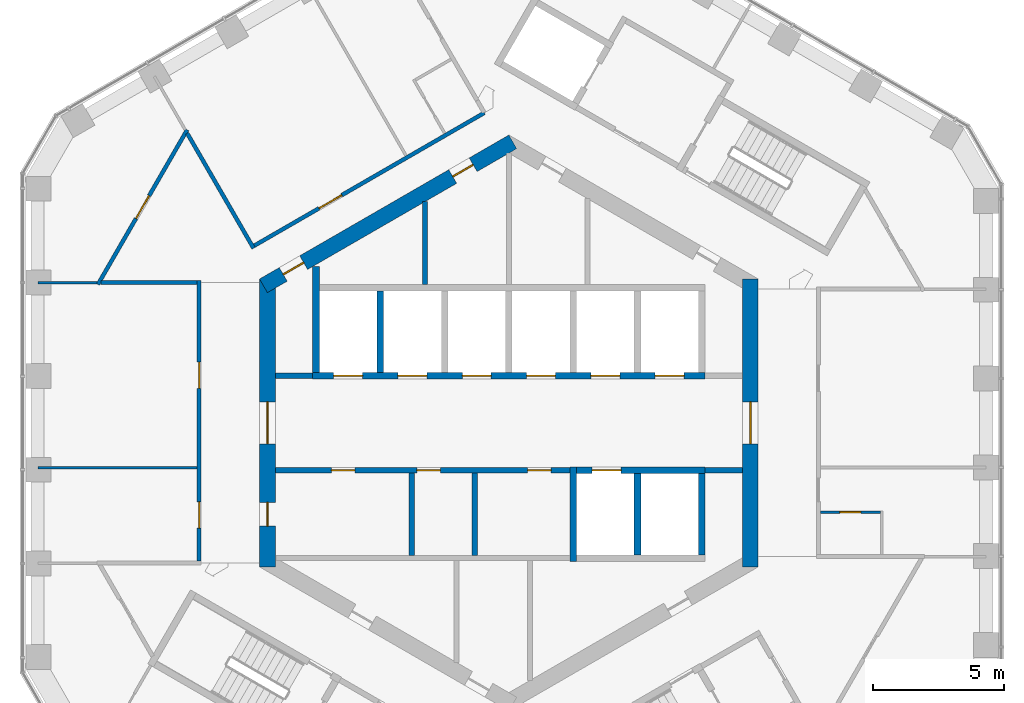
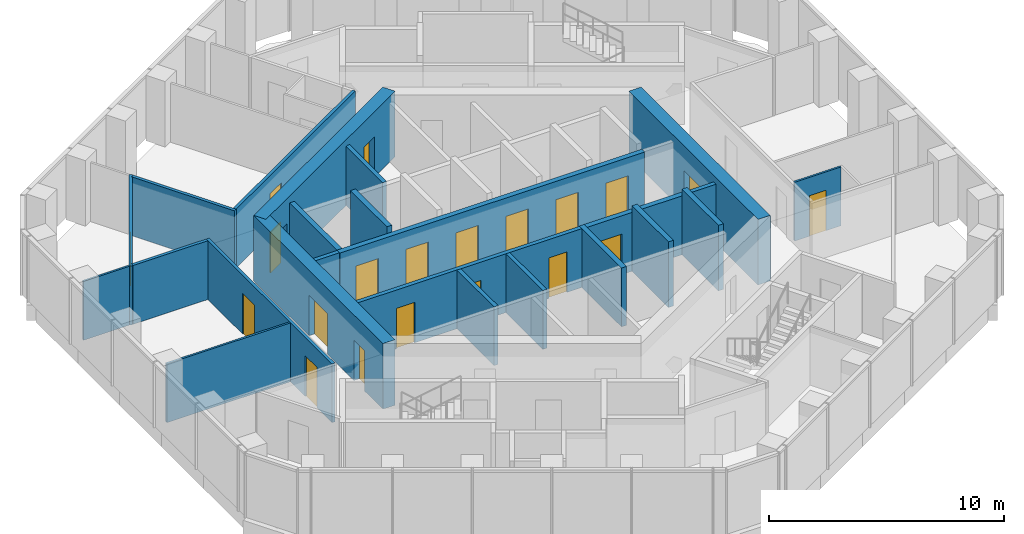
# One storey, part 15 of 18: 24 walls, 20 doors, 20 openings.
"""IFC4 building model written with IfcOpenShell, lengths in metres."""

from ifc_helpers import new_model, si_unit, direction, frame, frame_2d, origin, place, context, subcontext, project, spatial, rectangle, extrude, material, layer, layer_set, type_object, element, fill, save


model = new_model("IFC4")

# Units and contexts
model_context = context("Model", 3, precision=1e-05, world=origin(), true_north=direction((0.0, 1.0)))
body_context = subcontext(model_context, "Body", "Model", "MODEL_VIEW")
ifc_project = project(units=[si_unit("LENGTHUNIT", "METRE"), si_unit("AREAUNIT", "SQUARE_METRE"), si_unit("VOLUMEUNIT", "CUBIC_METRE"), si_unit("PLANEANGLEUNIT", "RADIAN"), si_unit("MASSUNIT", "GRAM", prefix="KILO")], contexts=[model_context])

# Site, building, storey
site_placement = place(None, origin())
site = spatial("IfcSite", under=ifc_project, at=site_placement, CompositionType="ELEMENT")
building_placement = place(site_placement, origin())
building = spatial("IfcBuilding", under=site, at=building_placement, Name="Ayvan Gate Tower", CompositionType="ELEMENT")
storey_placement = place(building_placement, frame((0.0, 0.0, 166.300048828125)))
storey = spatial("IfcBuildingStorey", under=building, at=storey_placement, Name="L44", CompositionType="ELEMENT", Elevation=166.300048828125)

# Wall, opening, door
ifc_material_1 = material(Name="Concrete C60/75", Category="concrete")
ifc_layer_1 = layer(ifc_material_1, 0.60009765625)
ifc_layer_set_1 = layer_set([ifc_layer_1], Name="Concrete C60/75")
wall_type_1 = type_object("IfcWallType", Name="Core wall 600 C60/75", PredefinedType="SHEAR", material=ifc_layer_set_1)
wall_1_placement = place(storey_placement, frame((9.199951171875, -5.48486328125, 0.0), z_axis=(0.0, 0.0, 1.0), x_axis=(0.0, 1.0, 0.0)))
wall_1 = element("IfcWall", 1, at=wall_1_placement, inside=storey, type_object=wall_type_1, Name="CORE-L44-0", PredefinedType="SHEAR", context=body_context, shape_type="SweptSolid", body=[
    extrude(rectangle(XDim=10.9697265625, YDim=0.60009765625, at=frame_2d((5.48486328125, 0.0))), origin(), (0.0, 0.0, 1.0), 3.39990234375),
])
opening_1_placement = place(wall_1_placement, frame((4.684814453125, 0.0, 0.0)))
opening_1 = element("IfcOpeningElement", 2, at=opening_1_placement, cuts=wall_1, Name="Opening L44-D45", PredefinedType="OPENING", context=body_context, shape_type="SweptSolid", body=[
    extrude(rectangle(XDim=1.60009765625, YDim=2.10009765625, at=frame_2d((0.800048828125, 1.050048828125))), frame((0.0, 0.31005859375, 0.0), z_axis=(0.0, -1.0, 0.0), x_axis=(1.0, 0.0, 0.0)), (0.0, 0.0, 1.0), 0.6201171875),
])
ifc_material_2 = material(Name="Timber door leaf", Category="wood")
door_type_1 = type_object("IfcDoorType", Name="DT-1600", OperationType="NOTDEFINED", PredefinedType="DOOR", material=ifc_material_2)
door_1_placement = place(opening_1_placement, origin())
door_1 = element("IfcDoor", 3, at=door_1_placement, inside=storey, type_object=door_type_1, Name="CD-L44-45", OperationType="SINGLE_SWING_LEFT", OverallHeight=2.10009765625, OverallWidth=1.60009765625, PredefinedType="DOOR", context=body_context, shape_type="SweptSolid", body=[
    extrude(rectangle(XDim=1.60009765625, YDim=2.10009765625, at=frame_2d((0.800048828125, 1.050048828125))), frame((0.0, 0.02490234375, 0.0), z_axis=(0.0, -1.0, 0.0), x_axis=(1.0, 0.0, 0.0)), (0.0, 0.0, 1.0), 0.050048828125),
])
fill(opening_1, door_1)

# Wall, openings, doors
wall_2_placement = place(storey_placement, frame((0.14990234375, 10.7099609375, 0.0), z_axis=(0.0, 0.0, 1.0), x_axis=(-0.866023993627, -0.500002442456, 0.0)))
wall_2 = element("IfcWall", 4, at=wall_2_placement, inside=storey, type_object=wall_type_1, Name="CORE-L44-2", PredefinedType="SHEAR", context=body_context, shape_type="SweptSolid", body=[
    extrude(rectangle(XDim=10.9697265625, YDim=0.60009765625, at=frame_2d((5.48486328125, 0.0))), origin(), (0.0, 0.0, 1.0), 3.39990234375),
])
opening_2_placement = place(wall_2_placement, frame((9.201416015625, 0.0, 0.0)))
opening_2 = element("IfcOpeningElement", 5, at=opening_2_placement, cuts=wall_2, Name="Opening L44-D37", PredefinedType="OPENING", context=body_context, shape_type="SweptSolid", body=[
    extrude(rectangle(XDim=0.89990234375, YDim=2.10009765625, at=frame_2d((0.449951171875, 1.050048828125))), frame((0.0, 0.31005859375, 0.0), z_axis=(0.0, -1.0, 0.0), x_axis=(1.0, 0.0, 0.0)), (0.0, 0.0, 1.0), 0.6201171875),
])
opening_3_placement = place(wall_2_placement, frame((1.744384765625, 0.0, 0.0)))
opening_3 = element("IfcOpeningElement", 6, at=opening_3_placement, cuts=wall_2, Name="Opening L44-D38", PredefinedType="OPENING", context=body_context, shape_type="SweptSolid", body=[
    extrude(rectangle(XDim=0.89990234375, YDim=2.10009765625, at=frame_2d((0.449951171875, 1.050048828125))), frame((0.0, 0.31005859375, 0.0), z_axis=(0.0, -1.0, 0.0), x_axis=(1.0, 0.0, 0.0)), (0.0, 0.0, 1.0), 0.6201171875),
])
door_type_2 = type_object("IfcDoorType", Name="DT-900", OperationType="NOTDEFINED", PredefinedType="DOOR", material=ifc_material_2)
door_2_placement = place(opening_2_placement, origin())
door_2 = element("IfcDoor", 7, at=door_2_placement, inside=storey, type_object=door_type_2, Name="CD-L44-37", OperationType="SINGLE_SWING_LEFT", OverallHeight=2.10009765625, OverallWidth=0.89990234375, PredefinedType="DOOR", context=body_context, shape_type="SweptSolid", body=[
    extrude(rectangle(XDim=0.89990234375, YDim=2.10009765625, at=frame_2d((0.449951171875, 1.050048828125))), frame((0.0, 0.02490234375, 0.0), z_axis=(0.0, -1.0, 0.0), x_axis=(1.0, 0.0, 0.0)), (0.0, 0.0, 1.0), 0.050048828125),
])
fill(opening_2, door_2)
door_3_placement = place(opening_3_placement, origin())
door_3 = element("IfcDoor", 8, at=door_3_placement, inside=storey, type_object=door_type_2, Name="CD-L44-38", OperationType="SINGLE_SWING_RIGHT", OverallHeight=2.10009765625, OverallWidth=0.89990234375, PredefinedType="DOOR", context=body_context, shape_type="SweptSolid", body=[
    extrude(rectangle(XDim=0.89990234375, YDim=2.10009765625, at=frame_2d((0.449951171875, 1.050048828125))), frame((0.0, 0.02490234375, 0.0), z_axis=(0.0, -1.0, 0.0), x_axis=(1.0, 0.0, 0.0)), (0.0, 0.0, 1.0), 0.050048828125),
])
fill(opening_3, door_3)

wall_3_placement = place(storey_placement, frame((-9.199951171875, 5.48486328125, 0.0), z_axis=(0.0, 0.0, 1.0), x_axis=(0.0, -1.0, 0.0)))
wall_3 = element("IfcWall", 9, at=wall_3_placement, inside=storey, type_object=wall_type_1, Name="CORE-L44-3", PredefinedType="SHEAR", context=body_context, shape_type="SweptSolid", body=[
    extrude(rectangle(XDim=10.9697265625, YDim=0.60009765625, at=frame_2d((5.48486328125, 0.0))), origin(), (0.0, 0.0, 1.0), 3.39990234375),
])
opening_4_placement = place(wall_3_placement, frame((8.51611328125, 0.0, 0.0)))
opening_4 = element("IfcOpeningElement", 10, at=opening_4_placement, cuts=wall_3, Name="Opening L44-D44", PredefinedType="OPENING", context=body_context, shape_type="SweptSolid", body=[
    extrude(rectangle(XDim=0.89990234375, YDim=2.10009765625, at=frame_2d((0.449951171875, 1.050048828125))), frame((0.0, 0.31005859375, 0.0), z_axis=(0.0, -1.0, 0.0), x_axis=(1.0, 0.0, 0.0)), (0.0, 0.0, 1.0), 0.6201171875),
])
opening_5_placement = place(wall_3_placement, frame((4.684814453125, 0.0, 0.0)))
opening_5 = element("IfcOpeningElement", 11, at=opening_5_placement, cuts=wall_3, Name="Opening L44-D46", PredefinedType="OPENING", context=body_context, shape_type="SweptSolid", body=[
    extrude(rectangle(XDim=1.60009765625, YDim=2.10009765625, at=frame_2d((0.800048828125, 1.050048828125))), frame((0.0, 0.31005859375, 0.0), z_axis=(0.0, -1.0, 0.0), x_axis=(1.0, 0.0, 0.0)), (0.0, 0.0, 1.0), 0.6201171875),
])
door_4_placement = place(opening_5_placement, origin())
door_4 = element("IfcDoor", 12, at=door_4_placement, inside=storey, type_object=door_type_1, Name="CD-L44-46", OperationType="SINGLE_SWING_RIGHT", OverallHeight=2.10009765625, OverallWidth=1.60009765625, PredefinedType="DOOR", context=body_context, shape_type="SweptSolid", body=[
    extrude(rectangle(XDim=1.60009765625, YDim=2.10009765625, at=frame_2d((0.800048828125, 1.050048828125))), frame((0.0, 0.02490234375, 0.0), z_axis=(0.0, -1.0, 0.0), x_axis=(1.0, 0.0, 0.0)), (0.0, 0.0, 1.0), 0.050048828125),
])
fill(opening_5, door_4)
door_5_placement = place(opening_4_placement, origin())
door_5 = element("IfcDoor", 13, at=door_5_placement, inside=storey, type_object=door_type_2, Name="CD-L44-44", OperationType="SINGLE_SWING_RIGHT", OverallHeight=2.10009765625, OverallWidth=0.89990234375, PredefinedType="DOOR", context=body_context, shape_type="SweptSolid", body=[
    extrude(rectangle(XDim=0.89990234375, YDim=2.10009765625, at=frame_2d((0.449951171875, 1.050048828125))), frame((0.0, 0.02490234375, 0.0), z_axis=(0.0, -1.0, 0.0), x_axis=(1.0, 0.0, 0.0)), (0.0, 0.0, 1.0), 0.050048828125),
])
fill(opening_4, door_5)

# Wall, opening, door
ifc_material_3 = material(Name="Plasterboard on steel stud", Category="steel")
ifc_layer_2 = layer(ifc_material_3, 0.14990234375)
ifc_layer_set_2 = layer_set([ifc_layer_2], Name="Plasterboard on steel stud")
wall_type_2 = type_object("IfcWallType", Name="WT-CORR-150", PredefinedType="PARTITIONING", material=ifc_layer_set_2)
wall_4_placement = place(storey_placement, frame((-15.657470703125, 5.278076171875, 0.0), z_axis=(0.0, 0.0, 1.0), x_axis=(0.499988676607, 0.86603194125, 0.0)))
wall_4 = element("IfcWall", 14, at=wall_4_placement, inside=storey, type_object=wall_type_2, Name="IW-L44-001", PredefinedType="PARTITIONING", context=body_context, shape_type="SweptSolid", body=[
    extrude(rectangle(XDim=6.800537109375, YDim=0.14990234375, at=frame_2d((3.400390625, 0.0))), origin(), (0.0, 0.0, 1.0), 3.050048828125),
])
opening_6_placement = place(wall_4_placement, frame((2.900390625, 0.0, 0.0)))
opening_6 = element("IfcOpeningElement", 15, at=opening_6_placement, cuts=wall_4, Name="Opening L44-D27", PredefinedType="OPENING", context=body_context, shape_type="SweptSolid", body=[
    extrude(rectangle(XDim=1.0, YDim=2.10009765625, at=frame_2d((0.5, 1.050048828125))), frame((0.0, 0.0849609375, 0.0), z_axis=(0.0, -1.0, 0.0), x_axis=(1.0, 0.0, 0.0)), (0.0, 0.0, 1.0), 0.169921875),
])
door_type_3 = type_object("IfcDoorType", Name="DT-1000", OperationType="NOTDEFINED", PredefinedType="DOOR", material=ifc_material_2)
door_6_placement = place(opening_6_placement, origin())
door_6 = element("IfcDoor", 16, at=door_6_placement, inside=storey, type_object=door_type_3, Name="ID-L44-027", OperationType="SINGLE_SWING_LEFT", OverallHeight=2.10009765625, OverallWidth=1.0, PredefinedType="DOOR", context=body_context, shape_type="SweptSolid", body=[
    extrude(rectangle(XDim=1.0, YDim=2.10009765625, at=frame_2d((0.5, 1.050048828125))), frame((0.0, 0.02490234375, 0.0), z_axis=(0.0, -1.0, 0.0), x_axis=(1.0, 0.0, 0.0)), (0.0, 0.0, 1.0), 0.050048828125),
])
fill(opening_6, door_6)

# Wall
wall_5_placement = place(storey_placement, frame((-12.25732421875, 11.03759765625, 0.0), z_axis=(0.0, 0.0, 1.0), x_axis=(0.499997969693, -0.866026575979, 0.0)))
element("IfcWall", 17, at=wall_5_placement, inside=storey, type_object=wall_type_2, Name="IW-L44-008", PredefinedType="PARTITIONING", context=body_context, shape_type="SweptSolid", body=[
    extrude(rectangle(XDim=5.0625, YDim=0.14990234375, at=frame_2d((2.53125, 0.0))), origin(), (0.0, 0.0, 1.0), 3.050048828125),
])

# Wall, openings, doors
wall_6_placement = place(storey_placement, frame((-11.800048828125, -5.26806640625, 0.0), z_axis=(0.0, 0.0, 1.0), x_axis=(0.0, 1.0, 0.0)))
wall_6 = element("IfcWall", 18, at=wall_6_placement, inside=storey, type_object=wall_type_2, Name="IW-L44-010", PredefinedType="PARTITIONING", context=body_context, shape_type="SweptSolid", body=[
    extrude(rectangle(XDim=10.68603515625, YDim=0.14990234375, at=frame_2d((5.343017578125, 0.0))), origin(), (0.0, 0.0, 1.0), 3.050048828125),
])
opening_7_placement = place(wall_6_placement, frame((6.584716796875, 0.0, 0.0)))
opening_7 = element("IfcOpeningElement", 19, at=opening_7_placement, cuts=wall_6, Name="Opening L44-D28", PredefinedType="OPENING", context=body_context, shape_type="SweptSolid", body=[
    extrude(rectangle(XDim=1.0, YDim=2.10009765625, at=frame_2d((0.5, 1.050048828125))), frame((0.0, 0.0849609375, 0.0), z_axis=(0.0, -1.0, 0.0), x_axis=(1.0, 0.0, 0.0)), (0.0, 0.0, 1.0), 0.169921875),
])
opening_8_placement = place(wall_6_placement, frame((1.26416015625, 0.0, 0.0)))
opening_8 = element("IfcOpeningElement", 20, at=opening_8_placement, cuts=wall_6, Name="Opening L44-D29", PredefinedType="OPENING", context=body_context, shape_type="SweptSolid", body=[
    extrude(rectangle(XDim=1.0, YDim=2.10009765625, at=frame_2d((0.5, 1.050048828125))), frame((0.0, 0.0849609375, 0.0), z_axis=(0.0, -1.0, 0.0), x_axis=(1.0, 0.0, 0.0)), (0.0, 0.0, 1.0), 0.169921875),
])
door_7_placement = place(opening_7_placement, origin())
door_7 = element("IfcDoor", 21, at=door_7_placement, inside=storey, type_object=door_type_3, Name="ID-L44-028", OperationType="SINGLE_SWING_RIGHT", OverallHeight=2.10009765625, OverallWidth=1.0, PredefinedType="DOOR", context=body_context, shape_type="SweptSolid", body=[
    extrude(rectangle(XDim=1.0, YDim=2.10009765625, at=frame_2d((0.5, 1.050048828125))), frame((0.0, 0.02490234375, 0.0), z_axis=(0.0, -1.0, 0.0), x_axis=(1.0, 0.0, 0.0)), (0.0, 0.0, 1.0), 0.050048828125),
])
fill(opening_7, door_7)
door_8_placement = place(opening_8_placement, origin())
door_8 = element("IfcDoor", 22, at=door_8_placement, inside=storey, type_object=door_type_3, Name="ID-L44-029", OperationType="SINGLE_SWING_LEFT", OverallHeight=2.10009765625, OverallWidth=1.0, PredefinedType="DOOR", context=body_context, shape_type="SweptSolid", body=[
    extrude(rectangle(XDim=1.0, YDim=2.10009765625, at=frame_2d((0.5, 1.050048828125))), frame((0.0, 0.02490234375, 0.0), z_axis=(0.0, -1.0, 0.0), x_axis=(1.0, 0.0, 0.0)), (0.0, 0.0, 1.0), 0.050048828125),
])
fill(opening_8, door_8)

# Wall
wall_7_placement = place(storey_placement, frame((-11.875, 5.343017578125, 0.0), z_axis=(0.0, 0.0, 1.0), x_axis=(-1.0, 0.0, 0.0)))
element("IfcWall", 23, at=wall_7_placement, inside=storey, type_object=wall_type_2, Name="IW-L44-012", PredefinedType="PARTITIONING", context=body_context, shape_type="SweptSolid", body=[
    extrude(rectangle(XDim=3.669921875, YDim=0.14990234375, at=frame_2d((1.8349609375, 0.0))), origin(), (0.0, 0.0, 1.0), 3.050048828125),
])

# Wall, opening, door
wall_8_placement = place(storey_placement, frame((-9.698486328125, 6.755859375, 0.0), z_axis=(0.0, 0.0, 1.0), x_axis=(0.866026460776, 0.499998169232, 0.0)))
wall_8 = element("IfcWall", 24, at=wall_8_placement, inside=storey, type_object=wall_type_2, Name="IW-L44-013", PredefinedType="PARTITIONING", context=body_context, shape_type="SweptSolid", body=[
    extrude(rectangle(XDim=10.11767578125, YDim=0.14990234375, at=frame_2d((5.058837890625, 0.0))), origin(), (0.0, 0.0, 1.0), 3.050048828125),
])
opening_9_placement = place(wall_8_placement, frame((2.844970703125, 0.0, 0.0)))
opening_9 = element("IfcOpeningElement", 25, at=opening_9_placement, cuts=wall_8, Name="Opening L44-D36", PredefinedType="OPENING", context=body_context, shape_type="SweptSolid", body=[
    extrude(rectangle(XDim=1.0, YDim=2.10009765625, at=frame_2d((0.5, 1.050048828125))), frame((0.0, 0.0849609375, 0.0), z_axis=(0.0, -1.0, 0.0), x_axis=(1.0, 0.0, 0.0)), (0.0, 0.0, 1.0), 0.169921875),
])
door_9_placement = place(opening_9_placement, origin())
door_9 = element("IfcDoor", 26, at=door_9_placement, inside=storey, type_object=door_type_3, Name="ID-L44-036", OperationType="SINGLE_SWING_RIGHT", OverallHeight=2.10009765625, OverallWidth=1.0, PredefinedType="DOOR", context=body_context, shape_type="SweptSolid", body=[
    extrude(rectangle(XDim=1.0, YDim=2.10009765625, at=frame_2d((0.5, 1.050048828125))), frame((0.0, 0.02490234375, 0.0), z_axis=(0.0, -1.0, 0.0), x_axis=(1.0, 0.0, 0.0)), (0.0, 0.0, 1.0), 0.050048828125),
])
fill(opening_9, door_9)

# Walls
ifc_layer_3 = layer(ifc_material_3, 0.10009765625)
ifc_layer_set_3 = layer_set([ifc_layer_3], Name="Plasterboard on steel stud")
wall_type_3 = type_object("IfcWallType", Name="WT-PART-100", PredefinedType="PARTITIONING", material=ifc_layer_set_3)
wall_9_placement = place(storey_placement, frame((-15.695068359375, 5.343017578125, 0.0), z_axis=(0.0, 0.0, 1.0), x_axis=(-1.0, 0.0, 0.0)))
element("IfcWall", 27, at=wall_9_placement, inside=storey, type_object=wall_type_3, Name="IW-L44-000", PredefinedType="PARTITIONING", context=body_context, shape_type="SweptSolid", body=[
    extrude(rectangle(XDim=2.254150390625, YDim=0.10009765625, at=frame_2d((1.126953125, 0.0))), origin(), (0.0, 0.0, 1.0), 3.050048828125),
])
wall_10_placement = place(storey_placement, frame((-11.875, -1.709716796875, 0.0), z_axis=(0.0, 0.0, 1.0), x_axis=(-1.0, 0.0, 0.0)))
element("IfcWall", 28, at=wall_10_placement, inside=storey, type_object=wall_type_3, Name="IW-L44-011", PredefinedType="PARTITIONING", context=body_context, shape_type="SweptSolid", body=[
    extrude(rectangle(XDim=6.07421875, YDim=0.10009765625, at=frame_2d((3.037109375, 0.0))), origin(), (0.0, 0.0, 1.0), 3.050048828125),
])

# Wall, opening, door
wall_11_placement = place(storey_placement, frame((14.14990234375, -3.398681640625, 0.0), z_axis=(0.0, 0.0, 1.0), x_axis=(-1.0, 0.0, 0.0)))
wall_11 = element("IfcWall", 29, at=wall_11_placement, inside=storey, type_object=wall_type_3, Name="IW-L44-093", PredefinedType="PARTITIONING", context=body_context, shape_type="SweptSolid", body=[
    extrude(rectangle(XDim=2.27490234375, YDim=0.10009765625, at=frame_2d((1.137451171875, 0.0))), origin(), (0.0, 0.0, 1.0), 3.050048828125),
])
opening_10_placement = place(wall_11_placement, frame((0.737548828125, 0.0, 0.0)))
opening_10 = element("IfcOpeningElement", 30, at=opening_10_placement, cuts=wall_11, Name="Opening L44-D23", PredefinedType="OPENING", context=body_context, shape_type="SweptSolid", body=[
    extrude(rectangle(XDim=0.800048828125, YDim=2.10009765625, at=frame_2d((0.39990234375, 1.050048828125))), frame((0.0, 0.06005859375, 0.0), z_axis=(0.0, -1.0, 0.0), x_axis=(1.0, 0.0, 0.0)), (0.0, 0.0, 1.0), 0.1201171875),
])
door_type_4 = type_object("IfcDoorType", Name="DT-800", OperationType="NOTDEFINED", PredefinedType="DOOR", material=ifc_material_2)
door_10_placement = place(opening_10_placement, origin())
door_10 = element("IfcDoor", 31, at=door_10_placement, inside=storey, type_object=door_type_4, Name="ID-L44-023", OperationType="SINGLE_SWING_LEFT", OverallHeight=2.10009765625, OverallWidth=0.800048828125, PredefinedType="DOOR", context=body_context, shape_type="SweptSolid", body=[
    extrude(rectangle(XDim=0.800048828125, YDim=2.10009765625, at=frame_2d((0.39990234375, 1.050048828125))), frame((0.0, 0.02490234375, 0.0), z_axis=(0.0, -1.0, 0.0), x_axis=(1.0, 0.0, 0.0)), (0.0, 0.0, 1.0), 0.050048828125),
])
fill(opening_10, door_10)

# Walls
ifc_layer_4 = layer(ifc_material_3, 0.199951171875)
ifc_layer_set_4 = layer_set([ifc_layer_4], Name="Plasterboard on steel stud")
wall_type_4 = type_object("IfcWallType", Name="WT-RATED-200", PredefinedType="PARTITIONING", material=ifc_layer_set_4)
wall_12_placement = place(storey_placement, frame((-8.89990234375, 1.800048828125, 0.0), z_axis=(0.0, 0.0, 1.0), x_axis=(1.0, 0.0, 0.0)))
element("IfcWall", 32, at=wall_12_placement, inside=storey, type_object=wall_type_4, Name="IW-L44-014", PredefinedType="PARTITIONING", context=body_context, shape_type="SweptSolid", body=[
    extrude(rectangle(XDim=1.425048828125, YDim=0.199951171875, at=frame_2d((0.71240234375, 0.0))), origin(), (0.0, 0.0, 1.0), 3.050048828125),
])
wall_13_placement = place(storey_placement, frame((-3.699951171875, -1.89990234375, 0.0), z_axis=(0.0, 0.0, 1.0), x_axis=(0.0, -1.0, 0.0)))
element("IfcWall", 33, at=wall_13_placement, inside=storey, type_object=wall_type_4, Name="IW-L44-033", PredefinedType="PARTITIONING", context=body_context, shape_type="SweptSolid", body=[
    extrude(rectangle(XDim=3.150146484375, YDim=0.199951171875, at=frame_2d((1.5751953125, 0.0))), origin(), (0.0, 0.0, 1.0), 3.050048828125),
])

# Wall, openings, doors
wall_14_placement = place(storey_placement, frame((-8.89990234375, -1.800048828125, 0.0), z_axis=(0.0, 0.0, 1.0), x_axis=(1.0, 0.0, 0.0)))
wall_14 = element("IfcWall", 34, at=wall_14_placement, inside=storey, type_object=wall_type_4, Name="IW-L44-034", PredefinedType="PARTITIONING", context=body_context, shape_type="SweptSolid", body=[
    extrude(rectangle(XDim=11.22509765625, YDim=0.199951171875, at=frame_2d((5.612548828125, 0.0))), origin(), (0.0, 0.0, 1.0), 3.050048828125),
])
opening_11_placement = place(wall_14_placement, frame((2.135009765625, 0.0, 0.0)))
opening_11 = element("IfcOpeningElement", 35, at=opening_11_placement, cuts=wall_14, Name="Opening L44-D08", PredefinedType="OPENING", context=body_context, shape_type="SweptSolid", body=[
    extrude(rectangle(XDim=0.89990234375, YDim=2.10009765625, at=frame_2d((0.449951171875, 1.050048828125))), frame((0.0, 0.10986328125, 0.0), z_axis=(0.0, -1.0, 0.0), x_axis=(1.0, 0.0, 0.0)), (0.0, 0.0, 1.0), 0.219970703125),
])
opening_12_placement = place(wall_14_placement, frame((5.389892578125, 0.0, 0.0)))
opening_12 = element("IfcOpeningElement", 36, at=opening_12_placement, cuts=wall_14, Name="Opening L44-D09", PredefinedType="OPENING", context=body_context, shape_type="SweptSolid", body=[
    extrude(rectangle(XDim=0.89990234375, YDim=2.10009765625, at=frame_2d((0.449951171875, 1.050048828125))), frame((0.0, 0.10986328125, 0.0), z_axis=(0.0, -1.0, 0.0), x_axis=(1.0, 0.0, 0.0)), (0.0, 0.0, 1.0), 0.219970703125),
])
opening_13_placement = place(wall_14_placement, frame((9.612548828125, 0.0, 0.0)))
opening_13 = element("IfcOpeningElement", 37, at=opening_13_placement, cuts=wall_14, Name="Opening L44-D10", PredefinedType="OPENING", context=body_context, shape_type="SweptSolid", body=[
    extrude(rectangle(XDim=0.89990234375, YDim=2.10009765625, at=frame_2d((0.449951171875, 1.050048828125))), frame((0.0, 0.10986328125, 0.0), z_axis=(0.0, -1.0, 0.0), x_axis=(1.0, 0.0, 0.0)), (0.0, 0.0, 1.0), 0.219970703125),
])
door_11_placement = place(opening_11_placement, origin())
door_11 = element("IfcDoor", 38, at=door_11_placement, inside=storey, type_object=door_type_2, Name="ID-L44-008", OperationType="SINGLE_SWING_RIGHT", OverallHeight=2.10009765625, OverallWidth=0.89990234375, PredefinedType="DOOR", context=body_context, shape_type="SweptSolid", body=[
    extrude(rectangle(XDim=0.89990234375, YDim=2.10009765625, at=frame_2d((0.449951171875, 1.050048828125))), frame((0.0, 0.02490234375, 0.0), z_axis=(0.0, -1.0, 0.0), x_axis=(1.0, 0.0, 0.0)), (0.0, 0.0, 1.0), 0.050048828125),
])
fill(opening_11, door_11)
door_12_placement = place(opening_12_placement, origin())
door_12 = element("IfcDoor", 39, at=door_12_placement, inside=storey, type_object=door_type_2, Name="ID-L44-009", OperationType="SINGLE_SWING_LEFT", OverallHeight=2.10009765625, OverallWidth=0.89990234375, PredefinedType="DOOR", context=body_context, shape_type="SweptSolid", body=[
    extrude(rectangle(XDim=0.89990234375, YDim=2.10009765625, at=frame_2d((0.449951171875, 1.050048828125))), frame((0.0, 0.02490234375, 0.0), z_axis=(0.0, -1.0, 0.0), x_axis=(1.0, 0.0, 0.0)), (0.0, 0.0, 1.0), 0.050048828125),
])
fill(opening_12, door_12)
door_13_placement = place(opening_13_placement, origin())
door_13 = element("IfcDoor", 40, at=door_13_placement, inside=storey, type_object=door_type_2, Name="ID-L44-010", OperationType="SINGLE_SWING_RIGHT", OverallHeight=2.10009765625, OverallWidth=0.89990234375, PredefinedType="DOOR", context=body_context, shape_type="SweptSolid", body=[
    extrude(rectangle(XDim=0.89990234375, YDim=2.10009765625, at=frame_2d((0.449951171875, 1.050048828125))), frame((0.0, 0.02490234375, 0.0), z_axis=(0.0, -1.0, 0.0), x_axis=(1.0, 0.0, 0.0)), (0.0, 0.0, 1.0), 0.050048828125),
])
fill(opening_13, door_13)

# Walls
wall_15_placement = place(storey_placement, frame((-3.199951171875, 8.42919921875, 0.0), z_axis=(0.0, 0.0, 1.0), x_axis=(0.0, -1.0, 0.0)))
element("IfcWall", 41, at=wall_15_placement, inside=storey, type_object=wall_type_4, Name="IW-L44-038", PredefinedType="PARTITIONING", context=body_context, shape_type="SweptSolid", body=[
    extrude(rectangle(XDim=3.154296875, YDim=0.199951171875, at=frame_2d((1.5771484375, 0.0))), origin(), (0.0, 0.0, 1.0), 3.050048828125),
])
wall_16_placement = place(storey_placement, frame((-1.300048828125, -1.89990234375, 0.0), z_axis=(0.0, 0.0, 1.0), x_axis=(0.0, -1.0, 0.0)))
element("IfcWall", 42, at=wall_16_placement, inside=storey, type_object=wall_type_4, Name="IW-L44-045", PredefinedType="PARTITIONING", context=body_context, shape_type="SweptSolid", body=[
    extrude(rectangle(XDim=3.150146484375, YDim=0.199951171875, at=frame_2d((1.5751953125, 0.0))), origin(), (0.0, 0.0, 1.0), 3.050048828125),
])
wall_17_placement = place(storey_placement, frame((8.89990234375, -1.800048828125, 0.0), z_axis=(0.0, 0.0, 1.0), x_axis=(-1.0, 0.0, 0.0)))
element("IfcWall", 43, at=wall_17_placement, inside=storey, type_object=wall_type_4, Name="IW-L44-082", PredefinedType="PARTITIONING", context=body_context, shape_type="SweptSolid", body=[
    extrude(rectangle(XDim=1.425048828125, YDim=0.199951171875, at=frame_2d((0.71240234375, 0.0))), origin(), (0.0, 0.0, 1.0), 3.050048828125),
])

# Wall, openings, doors
ifc_material_4 = material(Name="Concrete C50/60", Category="concrete")
ifc_layer_5 = layer(ifc_material_4, 0.25)
ifc_layer_set_5 = layer_set([ifc_layer_5], Name="Concrete C50/60")
wall_type_5 = type_object("IfcWallType", Name="WT-RC-250", PredefinedType="SHEAR", material=ifc_layer_set_5)
wall_18_placement = place(storey_placement, frame((-7.47509765625, 1.800048828125, 0.0), z_axis=(0.0, 0.0, 1.0), x_axis=(1.0, 0.0, 0.0)))
wall_18 = element("IfcWall", 44, at=wall_18_placement, inside=storey, type_object=wall_type_5, Name="IW-L44-021", PredefinedType="SHEAR", context=body_context, shape_type="SweptSolid", body=[
    extrude(rectangle(XDim=14.9501953125, YDim=0.25, at=frame_2d((7.47509765625, 0.0))), origin(), (0.0, 0.0, 1.0), 3.050048828125),
])
opening_14_placement = place(wall_18_placement, frame((0.800048828125, 0.0, 0.0)))
opening_14 = element("IfcOpeningElement", 45, at=opening_14_placement, cuts=wall_18, Name="Opening L44-LD-HR1", PredefinedType="OPENING", context=body_context, shape_type="SweptSolid", body=[
    extrude(rectangle(XDim=1.10009765625, YDim=2.10009765625, at=frame_2d((0.550048828125, 1.050048828125))), frame((0.0, 0.135009765625, 0.0), z_axis=(0.0, -1.0, 0.0), x_axis=(1.0, 0.0, 0.0)), (0.0, 0.0, 1.0), 0.27001953125),
])
opening_15_placement = place(wall_18_placement, frame((3.25, 0.0, 0.0)))
opening_15 = element("IfcOpeningElement", 46, at=opening_15_placement, cuts=wall_18, Name="Opening L44-LD-HR2", PredefinedType="OPENING", context=body_context, shape_type="SweptSolid", body=[
    extrude(rectangle(XDim=1.10009765625, YDim=2.10009765625, at=frame_2d((0.550048828125, 1.050048828125))), frame((0.0, 0.135009765625, 0.0), z_axis=(0.0, -1.0, 0.0), x_axis=(1.0, 0.0, 0.0)), (0.0, 0.0, 1.0), 0.27001953125),
])
opening_16_placement = place(wall_18_placement, frame((5.7001953125, 0.0, 0.0)))
opening_16 = element("IfcOpeningElement", 47, at=opening_16_placement, cuts=wall_18, Name="Opening L44-LD-HR3", PredefinedType="OPENING", context=body_context, shape_type="SweptSolid", body=[
    extrude(rectangle(XDim=1.10009765625, YDim=2.10009765625, at=frame_2d((0.550048828125, 1.050048828125))), frame((0.0, 0.135009765625, 0.0), z_axis=(0.0, -1.0, 0.0), x_axis=(1.0, 0.0, 0.0)), (0.0, 0.0, 1.0), 0.27001953125),
])
opening_17_placement = place(wall_18_placement, frame((8.150146484375, 0.0, 0.0)))
opening_17 = element("IfcOpeningElement", 48, at=opening_17_placement, cuts=wall_18, Name="Opening L44-LD-HR4", PredefinedType="OPENING", context=body_context, shape_type="SweptSolid", body=[
    extrude(rectangle(XDim=1.10009765625, YDim=2.10009765625, at=frame_2d((0.550048828125, 1.050048828125))), frame((0.0, 0.135009765625, 0.0), z_axis=(0.0, -1.0, 0.0), x_axis=(1.0, 0.0, 0.0)), (0.0, 0.0, 1.0), 0.27001953125),
])
opening_18_placement = place(wall_18_placement, frame((10.60009765625, 0.0, 0.0)))
opening_18 = element("IfcOpeningElement", 49, at=opening_18_placement, cuts=wall_18, Name="Opening L44-LD-HR5", PredefinedType="OPENING", context=body_context, shape_type="SweptSolid", body=[
    extrude(rectangle(XDim=1.10009765625, YDim=2.10009765625, at=frame_2d((0.550048828125, 1.050048828125))), frame((0.0, 0.135009765625, 0.0), z_axis=(0.0, -1.0, 0.0), x_axis=(1.0, 0.0, 0.0)), (0.0, 0.0, 1.0), 0.27001953125),
])
opening_19_placement = place(wall_18_placement, frame((13.050048828125, 0.0, 0.0)))
opening_19 = element("IfcOpeningElement", 50, at=opening_19_placement, cuts=wall_18, Name="Opening L44-LD-HR6", PredefinedType="OPENING", context=body_context, shape_type="SweptSolid", body=[
    extrude(rectangle(XDim=1.10009765625, YDim=2.10009765625, at=frame_2d((0.550048828125, 1.050048828125))), frame((0.0, 0.135009765625, 0.0), z_axis=(0.0, -1.0, 0.0), x_axis=(1.0, 0.0, 0.0)), (0.0, 0.0, 1.0), 0.27001953125),
])
ifc_material_5 = material(Name="Stainless steel landing door", Category="steel")
door_type_5 = type_object("IfcDoorType", Name="DT-LANDING-1100", OperationType="SLIDING_TO_LEFT", PredefinedType="DOOR", material=ifc_material_5)
door_14_placement = place(opening_14_placement, origin())
door_14 = element("IfcDoor", 51, at=door_14_placement, inside=storey, type_object=door_type_5, Name="ID-L44-001", OperationType="SLIDING_TO_LEFT", OverallHeight=2.10009765625, OverallWidth=1.10009765625, PredefinedType="DOOR", context=body_context, shape_type="SweptSolid", body=[
    extrude(rectangle(XDim=1.10009765625, YDim=2.10009765625, at=frame_2d((0.550048828125, 1.050048828125))), frame((0.0, 0.02490234375, 0.0), z_axis=(0.0, -1.0, 0.0), x_axis=(1.0, 0.0, 0.0)), (0.0, 0.0, 1.0), 0.050048828125),
])
fill(opening_14, door_14)
door_15_placement = place(opening_15_placement, origin())
door_15 = element("IfcDoor", 52, at=door_15_placement, inside=storey, type_object=door_type_5, Name="ID-L44-002", OperationType="SLIDING_TO_LEFT", OverallHeight=2.10009765625, OverallWidth=1.10009765625, PredefinedType="DOOR", context=body_context, shape_type="SweptSolid", body=[
    extrude(rectangle(XDim=1.10009765625, YDim=2.10009765625, at=frame_2d((0.550048828125, 1.050048828125))), frame((0.0, 0.02490234375, 0.0), z_axis=(0.0, -1.0, 0.0), x_axis=(1.0, 0.0, 0.0)), (0.0, 0.0, 1.0), 0.050048828125),
])
fill(opening_15, door_15)
door_16_placement = place(opening_16_placement, origin())
door_16 = element("IfcDoor", 53, at=door_16_placement, inside=storey, type_object=door_type_5, Name="ID-L44-003", OperationType="SLIDING_TO_LEFT", OverallHeight=2.10009765625, OverallWidth=1.10009765625, PredefinedType="DOOR", context=body_context, shape_type="SweptSolid", body=[
    extrude(rectangle(XDim=1.10009765625, YDim=2.10009765625, at=frame_2d((0.550048828125, 1.050048828125))), frame((0.0, 0.02490234375, 0.0), z_axis=(0.0, -1.0, 0.0), x_axis=(1.0, 0.0, 0.0)), (0.0, 0.0, 1.0), 0.050048828125),
])
fill(opening_16, door_16)
door_17_placement = place(opening_17_placement, origin())
door_17 = element("IfcDoor", 54, at=door_17_placement, inside=storey, type_object=door_type_5, Name="ID-L44-004", OperationType="SLIDING_TO_LEFT", OverallHeight=2.10009765625, OverallWidth=1.10009765625, PredefinedType="DOOR", context=body_context, shape_type="SweptSolid", body=[
    extrude(rectangle(XDim=1.10009765625, YDim=2.10009765625, at=frame_2d((0.550048828125, 1.050048828125))), frame((0.0, 0.02490234375, 0.0), z_axis=(0.0, -1.0, 0.0), x_axis=(1.0, 0.0, 0.0)), (0.0, 0.0, 1.0), 0.050048828125),
])
fill(opening_17, door_17)
door_18_placement = place(opening_18_placement, origin())
door_18 = element("IfcDoor", 55, at=door_18_placement, inside=storey, type_object=door_type_5, Name="ID-L44-005", OperationType="SLIDING_TO_LEFT", OverallHeight=2.10009765625, OverallWidth=1.10009765625, PredefinedType="DOOR", context=body_context, shape_type="SweptSolid", body=[
    extrude(rectangle(XDim=1.10009765625, YDim=2.10009765625, at=frame_2d((0.550048828125, 1.050048828125))), frame((0.0, 0.02490234375, 0.0), z_axis=(0.0, -1.0, 0.0), x_axis=(1.0, 0.0, 0.0)), (0.0, 0.0, 1.0), 0.050048828125),
])
fill(opening_18, door_18)
door_19_placement = place(opening_19_placement, origin())
door_19 = element("IfcDoor", 56, at=door_19_placement, inside=storey, type_object=door_type_5, Name="ID-L44-006", OperationType="SLIDING_TO_LEFT", OverallHeight=2.10009765625, OverallWidth=1.10009765625, PredefinedType="DOOR", context=body_context, shape_type="SweptSolid", body=[
    extrude(rectangle(XDim=1.10009765625, YDim=2.10009765625, at=frame_2d((0.550048828125, 1.050048828125))), frame((0.0, 0.02490234375, 0.0), z_axis=(0.0, -1.0, 0.0), x_axis=(1.0, 0.0, 0.0)), (0.0, 0.0, 1.0), 0.050048828125),
])
fill(opening_19, door_19)

# Walls
wall_19_placement = place(storey_placement, frame((-7.35009765625, 1.925048828125, 0.0), z_axis=(0.0, 0.0, 1.0), x_axis=(0.0, 1.0, 0.0)))
element("IfcWall", 57, at=wall_19_placement, inside=storey, type_object=wall_type_5, Name="IW-L44-022", PredefinedType="SHEAR", context=body_context, shape_type="SweptSolid", body=[
    extrude(rectangle(XDim=4.0361328125, YDim=0.25, at=frame_2d((2.01806640625, 0.0))), origin(), (0.0, 0.0, 1.0), 3.050048828125),
])
wall_20_placement = place(storey_placement, frame((-4.89990234375, 5.02490234375, 0.0), z_axis=(0.0, 0.0, 1.0), x_axis=(0.0, -1.0, 0.0)))
element("IfcWall", 58, at=wall_20_placement, inside=storey, type_object=wall_type_5, Name="IW-L44-029", PredefinedType="SHEAR", context=body_context, shape_type="SweptSolid", body=[
    extrude(rectangle(XDim=3.099853515625, YDim=0.25, at=frame_2d((1.5498046875, 0.0))), origin(), (0.0, 0.0, 1.0), 3.39990234375),
])
wall_21_placement = place(storey_placement, frame((2.449951171875, -5.27490234375, 0.0), z_axis=(0.0, 0.0, 1.0), x_axis=(0.0, 1.0, 0.0)))
element("IfcWall", 59, at=wall_21_placement, inside=storey, type_object=wall_type_5, Name="IW-L44-056", PredefinedType="SHEAR", context=body_context, shape_type="SweptSolid", body=[
    extrude(rectangle(XDim=3.599853515625, YDim=0.25, at=frame_2d((1.7998046875, 0.0))), origin(), (0.0, 0.0, 1.0), 3.050048828125),
])
wall_22_placement = place(storey_placement, frame((4.89990234375, -1.925048828125, 0.0), z_axis=(0.0, 0.0, 1.0), x_axis=(0.0, -1.0, 0.0)))
element("IfcWall", 60, at=wall_22_placement, inside=storey, type_object=wall_type_5, Name="IW-L44-067", PredefinedType="SHEAR", context=body_context, shape_type="SweptSolid", body=[
    extrude(rectangle(XDim=3.099853515625, YDim=0.25, at=frame_2d((1.5498046875, 0.0))), origin(), (0.0, 0.0, 1.0), 3.39990234375),
])

# Wall, opening, door
wall_23_placement = place(storey_placement, frame((2.574951171875, -1.800048828125, 0.0), z_axis=(0.0, 0.0, 1.0), x_axis=(1.0, 0.0, 0.0)))
wall_23 = element("IfcWall", 61, at=wall_23_placement, inside=storey, type_object=wall_type_5, Name="IW-L44-069", PredefinedType="SHEAR", context=body_context, shape_type="SweptSolid", body=[
    extrude(rectangle(XDim=4.900146484375, YDim=0.25, at=frame_2d((2.4501953125, 0.0))), origin(), (0.0, 0.0, 1.0), 3.050048828125),
])
opening_20_placement = place(wall_23_placement, frame((0.597412109375, 0.0, 0.0)))
opening_20 = element("IfcOpeningElement", 62, at=opening_20_placement, cuts=wall_23, Name="Opening L44-LD-SV", PredefinedType="OPENING", context=body_context, shape_type="SweptSolid", body=[
    extrude(rectangle(XDim=1.10009765625, YDim=2.10009765625, at=frame_2d((0.550048828125, 1.050048828125))), frame((0.0, 0.135009765625, 0.0), z_axis=(0.0, -1.0, 0.0), x_axis=(1.0, 0.0, 0.0)), (0.0, 0.0, 1.0), 0.27001953125),
])
door_20_placement = place(opening_20_placement, origin())
door_20 = element("IfcDoor", 63, at=door_20_placement, inside=storey, type_object=door_type_5, Name="ID-L44-007", OperationType="SLIDING_TO_LEFT", OverallHeight=2.10009765625, OverallWidth=1.10009765625, PredefinedType="DOOR", context=body_context, shape_type="SweptSolid", body=[
    extrude(rectangle(XDim=1.10009765625, YDim=2.10009765625, at=frame_2d((0.550048828125, 1.050048828125))), frame((0.0, 0.02490234375, 0.0), z_axis=(0.0, -1.0, 0.0), x_axis=(1.0, 0.0, 0.0)), (0.0, 0.0, 1.0), 0.050048828125),
])
fill(opening_20, door_20)

# Wall
wall_24_placement = place(storey_placement, frame((7.35009765625, -1.925048828125, 0.0), z_axis=(0.0, 0.0, 1.0), x_axis=(0.0, -1.0, 0.0)))
element("IfcWall", 64, at=wall_24_placement, inside=storey, type_object=wall_type_5, Name="IW-L44-077", PredefinedType="SHEAR", context=body_context, shape_type="SweptSolid", body=[
    extrude(rectangle(XDim=3.099853515625, YDim=0.25, at=frame_2d((1.5498046875, 0.0))), origin(), (0.0, 0.0, 1.0), 3.39990234375),
])

save(model, "model.ifc")
